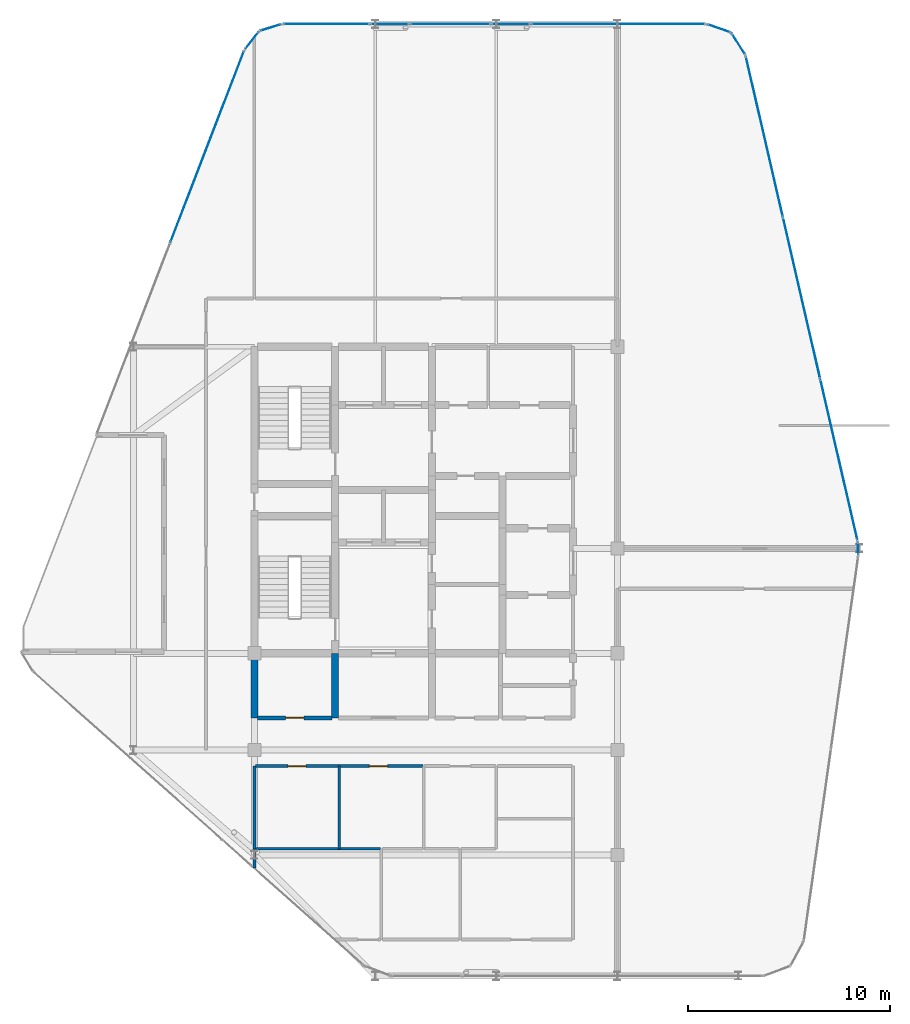
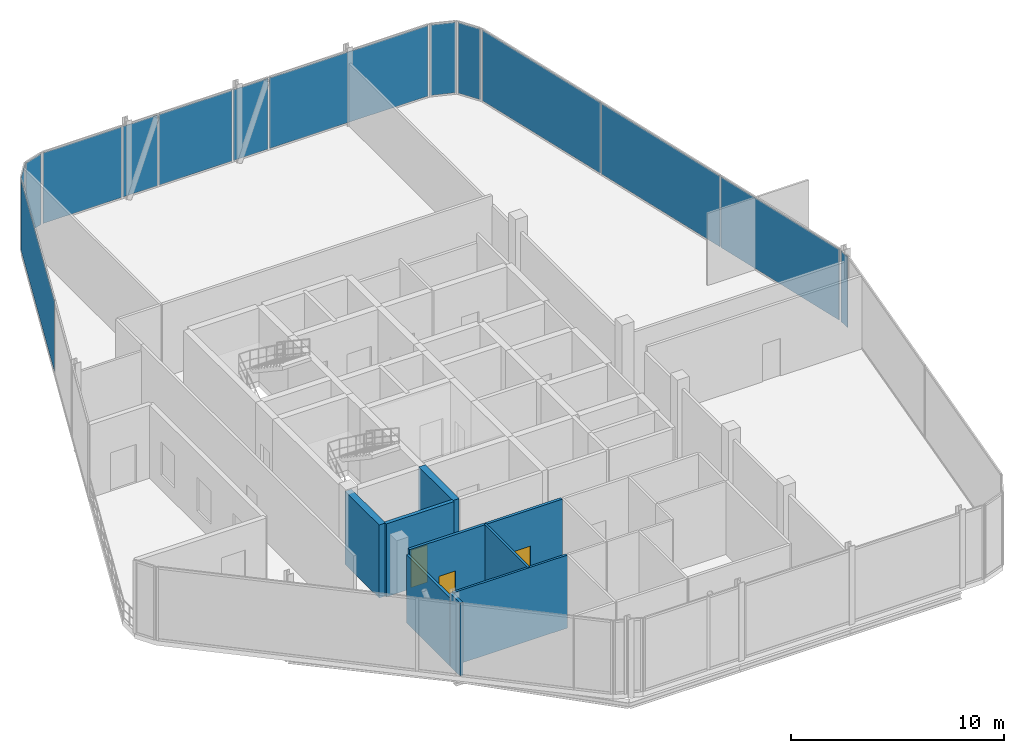
# One storey, part 20 of 24: 14 plates, 8 walls, 3 doors, 3 openings, 12 elements without a shape of their own.
"""IFC4 building model written with IfcOpenShell, lengths in metres."""

from ifc_helpers import new_model, si_unit, direction, frame, frame_2d, origin, origin_2d, place, context, subcontext, project, spatial, rectangle, extrude, material, layer, layer_set, type_object, element, fill, aggregate, save


model = new_model("IFC4")

# Units and contexts
model_context = context("Model", 3, precision=1e-05, world=origin(), true_north=direction((0.0, 1.0)))
body_context = subcontext(model_context, "Body", "Model", "MODEL_VIEW")
ifc_project = project(units=[si_unit("LENGTHUNIT", "METRE"), si_unit("AREAUNIT", "SQUARE_METRE"), si_unit("VOLUMEUNIT", "CUBIC_METRE"), si_unit("PLANEANGLEUNIT", "RADIAN"), si_unit("MASSUNIT", "GRAM", prefix="KILO")], contexts=[model_context])

# Site, building, storey
site_placement = place(None, origin())
site = spatial("IfcSite", under=ifc_project, at=site_placement, CompositionType="ELEMENT")
building_placement = place(site_placement, origin())
building = spatial("IfcBuilding", under=site, at=building_placement, Name="Keshet Zoharim Tower", CompositionType="ELEMENT")
storey_placement = place(building_placement, frame((0.0, 0.0, 299.10009765625)))
storey = spatial("IfcBuildingStorey", under=building, at=storey_placement, Name="L75", CompositionType="ELEMENT", Elevation=299.10009765625)

# Curtain wall, plate
ifc_material_1 = material(Name="Aluminium 6063-T6", Category="aluminium")
ifc_layer_1 = layer(ifc_material_1, 0.260009765625)
ifc_layer_set_1 = layer_set([ifc_layer_1], Name="Aluminium 6063-T6")
curtain_wall_type = type_object("IfcCurtainWallType", Name="CW-SYS-06", PredefinedType="NOTDEFINED", material=ifc_layer_set_1)
curtain_wall_1_placement = place(storey_placement, origin())
curtain_wall_1 = element("IfcCurtainWall", 1, at=curtain_wall_1_placement, inside=storey, type_object=curtain_wall_type, Name="L75 Unitised Curtain Wall 01", PredefinedType="NOTDEFINED")
ifc_material_2 = material(Name="Insulated Low-E Clear Glass", Category="glass")
ifc_layer_2 = layer(ifc_material_2, 0.028076171875)
ifc_layer_set_2 = layer_set([ifc_layer_2], Name="Insulated Low-E Clear Glass")
plate_type_1 = type_object("IfcPlateType", Name="CWP-03", PredefinedType="CURTAIN_PANEL", material=ifc_layer_set_2)
plate_1_placement = place(storey_placement, frame((12.664306640625, 47.8271484375, 0.06982421875), z_axis=(0.0, 0.0, 1.0), x_axis=(0.359005277968, 0.933335529374, 0.0)))
plate_1 = element("IfcPlate", 2, at=plate_1_placement, type_object=plate_type_1, Name="CW-06 panel 2.1", PredefinedType="CURTAIN_PANEL", context=body_context, shape_type="SweptSolid", body=[
    extrude(rectangle(XDim=10.1259765625, YDim=0.028076171875, at=origin_2d()), origin(), (0.0, 0.0, 1.0), 4.050048828125),
])
aggregate(curtain_wall_1, [plate_1])

curtain_wall_2_placement = place(storey_placement, origin())
curtain_wall_2 = element("IfcCurtainWall", 3, at=curtain_wall_2_placement, inside=storey, type_object=curtain_wall_type, Name="L75 Unitised Curtain Wall 02", PredefinedType="NOTDEFINED")
plate_2_placement = place(storey_placement, frame((14.8740234375, 53.08349609375, 0.06982421875), z_axis=(0.0, 0.0, 1.0), x_axis=(0.619124525989, 0.785292825205, 0.0)))
plate_2 = element("IfcPlate", 4, at=plate_2_placement, type_object=plate_type_1, Name="CW-06 panel 1.1", PredefinedType="CURTAIN_PANEL", context=body_context, shape_type="SweptSolid", body=[
    extrude(rectangle(XDim=1.045654296875, YDim=0.028076171875, at=origin_2d()), origin(), (0.0, 0.0, 1.0), 4.050048828125),
])
aggregate(curtain_wall_2, [plate_2])

curtain_wall_3_placement = place(storey_placement, origin())
curtain_wall_3 = element("IfcCurtainWall", 5, at=curtain_wall_3_placement, inside=storey, type_object=curtain_wall_type, Name="L75 Unitised Curtain Wall 03", PredefinedType="NOTDEFINED")
plate_3_placement = place(storey_placement, frame((15.8076171875, 53.724609375, 0.06982421875), z_axis=(0.0, 0.0, 1.0), x_axis=(0.955212151288, 0.295921857984, 0.0)))
plate_3 = element("IfcPlate", 6, at=plate_3_placement, type_object=plate_type_1, Name="CW-06 panel 1.1", PredefinedType="CURTAIN_PANEL", context=body_context, shape_type="SweptSolid", body=[
    extrude(rectangle(XDim=1.046142578125, YDim=0.028076171875, at=origin_2d()), origin(), (0.0, 0.0, 1.0), 4.050048828125),
])
aggregate(curtain_wall_3, [plate_3])

curtain_wall_4_placement = place(storey_placement, origin())
curtain_wall_4 = element("IfcCurtainWall", 7, at=curtain_wall_4_placement, inside=storey, type_object=curtain_wall_type, Name="L75 Unitised Curtain Wall 04", PredefinedType="NOTDEFINED")
plate_4_placement = place(storey_placement, frame((18.57275390625, 53.89990234375, 0.06982421875), z_axis=(0.0, 0.0, 1.0), x_axis=(1.0, 0.0, 0.0)))
plate_4 = element("IfcPlate", 8, at=plate_4_placement, type_object=plate_type_1, Name="CW-06 panel 1.1", PredefinedType="CURTAIN_PANEL", context=body_context, shape_type="SweptSolid", body=[
    extrude(rectangle(XDim=4.257568359375, YDim=0.028076171875, at=origin_2d()), origin(), (0.0, 0.0, 1.0), 4.050048828125),
])
aggregate(curtain_wall_4, [plate_4])

curtain_wall_5_placement = place(storey_placement, origin())
curtain_wall_5 = element("IfcCurtainWall", 9, at=curtain_wall_5_placement, inside=storey, type_object=curtain_wall_type, Name="L75 Unitised Curtain Wall 04 Part 3", PredefinedType="NOTDEFINED")
plate_5_placement = place(storey_placement, frame((24.715087890625, 53.89990234375, 0.06982421875), z_axis=(0.0, 0.0, 1.0), x_axis=(1.0, 0.0, 0.0)))
plate_5 = element("IfcPlate", 10, at=plate_5_placement, type_object=plate_type_1, Name="CW-06 panel 1.1", PredefinedType="CURTAIN_PANEL", context=body_context, shape_type="SweptSolid", body=[
    extrude(rectangle(XDim=3.972900390625, YDim=0.028076171875, at=origin_2d()), origin(), (0.0, 0.0, 1.0), 4.050048828125),
])
aggregate(curtain_wall_5, [plate_5])

curtain_wall_6_placement = place(storey_placement, origin())
curtain_wall_6 = element("IfcCurtainWall", 11, at=curtain_wall_6_placement, inside=storey, type_object=curtain_wall_type, Name="L75 Unitised Curtain Wall 04 Part 5", PredefinedType="NOTDEFINED")
plate_6_placement = place(storey_placement, frame((33.03369140625, 53.89990234375, 0.06982421875), z_axis=(0.0, 0.0, 1.0), x_axis=(1.0, 0.0, 0.0)))
plate_6 = element("IfcPlate", 12, at=plate_6_placement, type_object=plate_type_1, Name="CW-06 panel 1.1", PredefinedType="CURTAIN_PANEL", context=body_context, shape_type="SweptSolid", body=[
    extrude(rectangle(XDim=8.610595703125, YDim=0.028076171875, at=origin_2d()), origin(), (0.0, 0.0, 1.0), 4.050048828125),
])
aggregate(curtain_wall_6, [plate_6])

curtain_wall_7_placement = place(storey_placement, origin())
curtain_wall_7 = element("IfcCurtainWall", 13, at=curtain_wall_7_placement, inside=storey, type_object=curtain_wall_type, Name="L75 Unitised Curtain Wall 05", PredefinedType="NOTDEFINED")
plate_7_placement = place(storey_placement, frame((38.031494140625, 53.6826171875, 0.06982421875), z_axis=(0.0, 0.0, 1.0), x_axis=(0.944035542119, -0.329843743636, 0.0)))
plate_7 = element("IfcPlate", 14, at=plate_7_placement, type_object=plate_type_1, Name="CW-06 panel 1.1", PredefinedType="CURTAIN_PANEL", context=body_context, shape_type="SweptSolid", body=[
    extrude(rectangle(XDim=1.1787109375, YDim=0.028076171875, at=origin_2d()), origin(), (0.0, 0.0, 1.0), 4.050048828125),
])
aggregate(curtain_wall_7, [plate_7])

curtain_wall_8_placement = place(storey_placement, origin())
curtain_wall_8 = element("IfcCurtainWall", 15, at=curtain_wall_8_placement, inside=storey, type_object=curtain_wall_type, Name="L75 Unitised Curtain Wall 06", PredefinedType="NOTDEFINED")
plate_8_placement = place(storey_placement, frame((39.006103515625, 52.907470703125, 0.06982421875), z_axis=(0.0, 0.0, 1.0), x_axis=(0.533878858502, -0.845560976183, 0.0)))
plate_8 = element("IfcPlate", 16, at=plate_8_placement, type_object=plate_type_1, Name="CW-06 panel 1.1", PredefinedType="CURTAIN_PANEL", context=body_context, shape_type="SweptSolid", body=[
    extrude(rectangle(XDim=1.1787109375, YDim=0.028076171875, at=origin_2d()), origin(), (0.0, 0.0, 1.0), 4.050048828125),
])
aggregate(curtain_wall_8, [plate_8])

# Curtain wall, plates
curtain_wall_9_placement = place(storey_placement, origin())
curtain_wall_9 = element("IfcCurtainWall", 17, at=curtain_wall_9_placement, inside=storey, type_object=curtain_wall_type, Name="L75 Unitised Curtain Wall 07", PredefinedType="NOTDEFINED")
plate_9_placement = place(storey_placement, frame((40.288330078125, 48.318359375, 0.06982421875), z_axis=(0.0, 0.0, 1.0), x_axis=(0.224829963294, -0.974398012932, 0.0)))
plate_9 = element("IfcPlate", 18, at=plate_9_placement, type_object=plate_type_1, Name="CW-06 panel 1.1", PredefinedType="CURTAIN_PANEL", context=body_context, shape_type="SweptSolid", body=[
    extrude(rectangle(XDim=8.13525390625, YDim=0.028076171875, at=origin_2d()), origin(), (0.0, 0.0, 1.0), 4.050048828125),
])
plate_10_placement = place(storey_placement, frame((42.136962890625, 40.305908203125, 0.06982421875), z_axis=(0.0, 0.0, 1.0), x_axis=(0.224829963294, -0.974398012932, 0.0)))
plate_10 = element("IfcPlate", 19, at=plate_10_placement, type_object=plate_type_1, Name="CW-06 panel 2.1", PredefinedType="CURTAIN_PANEL", context=body_context, shape_type="SweptSolid", body=[
    extrude(rectangle(XDim=8.17041015625, YDim=0.028076171875, at=origin_2d()), origin(), (0.0, 0.0, 1.0), 4.050048828125),
])
plate_11_placement = place(storey_placement, frame((43.98583984375, 32.293701171875, 0.06982421875), z_axis=(0.0, 0.0, 1.0), x_axis=(0.224829963294, -0.974398012932, 0.0)))
plate_11 = element("IfcPlate", 20, at=plate_11_placement, type_object=plate_type_1, Name="CW-06 panel 3.1", PredefinedType="CURTAIN_PANEL", context=body_context, shape_type="SweptSolid", body=[
    extrude(rectangle(XDim=8.13525390625, YDim=0.028076171875, at=origin_2d()), origin(), (0.0, 0.0, 1.0), 4.050048828125),
])
aggregate(curtain_wall_9, [plate_9, plate_10, plate_11])

# Curtain wall, plate
curtain_wall_10_placement = place(storey_placement, origin())
curtain_wall_10 = element("IfcCurtainWall", 21, at=curtain_wall_10_placement, inside=storey, type_object=curtain_wall_type, Name="L75 Unitised Curtain Wall 08", PredefinedType="NOTDEFINED")
plate_12_placement = place(storey_placement, frame((44.931884765625, 27.89697265625, 0.06982421875), z_axis=(0.0, 0.0, 1.0), x_axis=(0.043793560626, -0.999040601801, 0.0)))
plate_12 = element("IfcPlate", 22, at=plate_12_placement, type_object=plate_type_1, Name="CW-06 panel 1.1", PredefinedType="CURTAIN_PANEL", context=body_context, shape_type="SweptSolid", body=[
    extrude(rectangle(XDim=0.5908203125, YDim=0.028076171875, at=origin_2d()), origin(), (0.0, 0.0, 1.0), 4.050048828125),
])
aggregate(curtain_wall_10, [plate_12])

curtain_wall_11_placement = place(storey_placement, origin())
curtain_wall_11 = element("IfcCurtainWall", 23, at=curtain_wall_11_placement, inside=storey, type_object=curtain_wall_type, Name="L75 Unitised Curtain Wall 04 Part 2", PredefinedType="NOTDEFINED")
ifc_material_3 = material(Name="Insulated Aluminium Spandrel Panel", Category="aluminium")
ifc_layer_3 = layer(ifc_material_3, 0.028076171875)
ifc_layer_set_3 = layer_set([ifc_layer_3], Name="Insulated Aluminium Spandrel Panel")
plate_type_2 = type_object("IfcPlateType", Name="CWP-06", PredefinedType="CURTAIN_PANEL", material=ifc_layer_set_3)
plate_13_placement = place(storey_placement, frame((21.715087890625, 53.89990234375, 0.06982421875), z_axis=(0.0, 0.0, 1.0), x_axis=(1.0, 0.0, 0.0)))
plate_13 = element("IfcPlate", 24, at=plate_13_placement, type_object=plate_type_2, Name="CW-06 spandrel panel 1.1", PredefinedType="CURTAIN_PANEL", context=body_context, shape_type="SweptSolid", body=[
    extrude(rectangle(XDim=1.886962890625, YDim=0.028076171875, at=origin_2d()), origin(), (0.0, 0.0, 1.0), 4.050048828125),
])
aggregate(curtain_wall_11, [plate_13])

curtain_wall_12_placement = place(storey_placement, origin())
curtain_wall_12 = element("IfcCurtainWall", 25, at=curtain_wall_12_placement, inside=storey, type_object=curtain_wall_type, Name="L75 Unitised Curtain Wall 04 Part 4", PredefinedType="NOTDEFINED")
plate_14_placement = place(storey_placement, frame((27.715087890625, 53.89990234375, 0.06982421875), z_axis=(0.0, 0.0, 1.0), x_axis=(1.0, 0.0, 0.0)))
plate_14 = element("IfcPlate", 26, at=plate_14_placement, type_object=plate_type_2, Name="CW-06 spandrel panel 1.1", PredefinedType="CURTAIN_PANEL", context=body_context, shape_type="SweptSolid", body=[
    extrude(rectangle(XDim=1.886962890625, YDim=0.028076171875, at=origin_2d()), origin(), (0.0, 0.0, 1.0), 4.050048828125),
])
aggregate(curtain_wall_12, [plate_14])

# Walls
ifc_material_4 = material(Name="Gypsum Plasterboard", Category="gypsum")
ifc_layer_4 = layer(ifc_material_4, 0.14990234375)
ifc_layer_set_4 = layer_set([ifc_layer_4], Name="Gypsum Plasterboard")
wall_type_1 = type_object("IfcWallType", Name="WL-CLIN-150", PredefinedType="STANDARD", material=ifc_layer_set_4)
wall_1_placement = place(storey_placement, frame((15.0, 12.04296875, 0.0), z_axis=(0.0, 0.0, 1.0), x_axis=(0.0, 1.0, 0.0)))
element("IfcWall", 27, at=wall_1_placement, inside=storey, type_object=wall_type_1, Name="L75 Interior Wall 003", PredefinedType="STANDARD", context=body_context, shape_type="SweptSolid", body=[
    extrude(rectangle(XDim=0.95703125, YDim=0.14990234375, at=frame_2d((0.478515625, 0.0))), origin(), (0.0, 0.0, 1.0), 4.18994140625),
])
wall_2_placement = place(storey_placement, frame((15.0, 13.0, 0.0), z_axis=(0.0, 0.0, 1.0), x_axis=(0.0, 1.0, 0.0)))
element("IfcWall", 28, at=wall_2_placement, inside=storey, type_object=wall_type_1, Name="L75 Interior Wall 004", PredefinedType="STANDARD", context=body_context, shape_type="SweptSolid", body=[
    extrude(rectangle(XDim=4.10009765625, YDim=0.14990234375, at=frame_2d((2.050048828125, 0.0))), origin(), (0.0, 0.0, 1.0), 3.89990234375),
])

# Wall, openings, doors
wall_3_placement = place(storey_placement, frame((15.06005859375, 17.10009765625, 0.0), z_axis=(0.0, 0.0, 1.0), x_axis=(1.0, 0.0, 0.0)))
wall_3 = element("IfcWall", 29, at=wall_3_placement, inside=storey, type_object=wall_type_1, Name="L75 Interior Wall 057", PredefinedType="STANDARD", context=body_context, shape_type="SweptSolid", body=[
    extrude(rectangle(XDim=8.294921875, YDim=0.14990234375, at=frame_2d((4.1474609375, 0.0))), origin(), (0.0, 0.0, 1.0), 4.18994140625),
])
opening_1_placement = place(wall_3_placement, frame((1.594970703125, 0.0, 0.0)))
opening_1 = element("IfcOpeningElement", 30, at=opening_1_placement, cuts=wall_3, Name="Opening D-WT90", PredefinedType="OPENING", context=body_context, shape_type="SweptSolid", body=[
    extrude(rectangle(XDim=0.89990234375, YDim=2.10009765625, at=frame_2d((0.449951171875, 1.050048828125))), frame((0.0, 0.0849609375, 0.0), z_axis=(0.0, -1.0, 0.0), x_axis=(1.0, 0.0, 0.0)), (0.0, 0.0, 1.0), 0.169921875),
])
opening_2_placement = place(wall_3_placement, frame((5.64501953125, 0.0, 0.0)))
opening_2 = element("IfcOpeningElement", 31, at=opening_2_placement, cuts=wall_3, Name="Opening D-WT90", PredefinedType="OPENING", context=body_context, shape_type="SweptSolid", body=[
    extrude(rectangle(XDim=0.89990234375, YDim=2.10009765625, at=frame_2d((0.449951171875, 1.050048828125))), frame((0.0, 0.0849609375, 0.0), z_axis=(0.0, -1.0, 0.0), x_axis=(1.0, 0.0, 0.0)), (0.0, 0.0, 1.0), 0.169921875),
])
ifc_material_5 = material(Name="Hardwood Timber", Category="wood")
door_type_1 = type_object("IfcDoorType", Name="DR-WET-090", OperationType="NOTDEFINED", PredefinedType="DOOR", material=ifc_material_5)
door_1_placement = place(opening_1_placement, origin())
door_1 = element("IfcDoor", 32, at=door_1_placement, inside=storey, type_object=door_type_1, Name="L75 Public WCM Door", OperationType="SINGLE_SWING_LEFT", OverallHeight=2.10009765625, OverallWidth=0.89990234375, PredefinedType="DOOR", context=body_context, shape_type="SweptSolid", body=[
    extrude(rectangle(XDim=0.89990234375, YDim=2.10009765625, at=frame_2d((0.449951171875, 1.050048828125))), frame((0.0, 0.02490234375, 0.0), z_axis=(0.0, -1.0, 0.0), x_axis=(1.0, 0.0, 0.0)), (0.0, 0.0, 1.0), 0.050048828125),
])
fill(opening_1, door_1)
door_2_placement = place(opening_2_placement, origin())
door_2 = element("IfcDoor", 33, at=door_2_placement, inside=storey, type_object=door_type_1, Name="L75 Public WCF Door", OperationType="SINGLE_SWING_RIGHT", OverallHeight=2.10009765625, OverallWidth=0.89990234375, PredefinedType="DOOR", context=body_context, shape_type="SweptSolid", body=[
    extrude(rectangle(XDim=0.89990234375, YDim=2.10009765625, at=frame_2d((0.449951171875, 1.050048828125))), frame((0.0, 0.02490234375, 0.0), z_axis=(0.0, -1.0, 0.0), x_axis=(1.0, 0.0, 0.0)), (0.0, 0.0, 1.0), 0.050048828125),
])
fill(opening_2, door_2)

# Walls
ifc_material_6 = material(Name="Concrete C60/75", Category="concrete")
ifc_layer_5 = layer(ifc_material_6, 0.35009765625)
ifc_layer_set_5 = layer_set([ifc_layer_5], Name="Concrete C60/75")
wall_type_2 = type_object("IfcWallType", Name="WL-CORE-350", PredefinedType="SHEAR", material=ifc_layer_set_5)
for number, where, z_axis, x_axis, name in (
    (34, (15.0, 19.5, 0.0), (0.0, 0.0, 1.0), (0.0, 1.0, 0.0), "L75 Core Shear Wall 005"),
    (35, (19.0, 19.5, 0.0), (0.0, 0.0, 1.0), (0.0, 1.0, 0.0), "L75 Core Shear Wall 010"),
):
    element("IfcWall", number, at=place(storey_placement, frame(where, z_axis=z_axis, x_axis=x_axis)), inside=storey, type_object=wall_type_2, Name=name, PredefinedType="SHEAR", context=body_context, shape_type="SweptSolid", body=[
        extrude(rectangle(XDim=3.199951171875, YDim=0.35009765625, at=frame_2d((1.60009765625, 0.0))), origin(), (0.0, 0.0, 1.0), 4.18994140625),
    ])

# Wall, opening, door
ifc_material_7 = material(Name="Concrete C50/60", Category="concrete")
ifc_layer_6 = layer(ifc_material_7, 0.199951171875)
ifc_layer_set_6 = layer_set([ifc_layer_6], Name="Concrete C50/60")
wall_type_3 = type_object("IfcWallType", Name="WL-FIRE-200", PredefinedType="STANDARD", material=ifc_layer_set_6)
wall_4_placement = place(storey_placement, frame((15.159912109375, 19.5, 0.0), z_axis=(0.0, 0.0, 1.0), x_axis=(1.0, 0.0, 0.0)))
wall_4 = element("IfcWall", 36, at=wall_4_placement, inside=storey, type_object=wall_type_3, Name="L75 Interior Wall 060", PredefinedType="STANDARD", context=body_context, shape_type="SweptSolid", body=[
    extrude(rectangle(XDim=3.68017578125, YDim=0.199951171875, at=frame_2d((1.840087890625, 0.0))), origin(), (0.0, 0.0, 1.0), 4.18994140625),
])
opening_3_placement = place(wall_4_placement, frame((1.389892578125, 0.0, 0.0)))
opening_3 = element("IfcOpeningElement", 37, at=opening_3_placement, cuts=wall_4, Name="Opening D-F690", PredefinedType="OPENING", context=body_context, shape_type="SweptSolid", body=[
    extrude(rectangle(XDim=0.89990234375, YDim=2.14990234375, at=frame_2d((0.449951171875, 1.074951171875))), frame((0.0, 0.10986328125, 0.0), z_axis=(0.0, -1.0, 0.0), x_axis=(1.0, 0.0, 0.0)), (0.0, 0.0, 1.0), 0.219970703125),
])
door_type_2 = type_object("IfcDoorType", Name="DR-FD60-090", OperationType="NOTDEFINED", PredefinedType="DOOR", material=ifc_material_5)
door_3_placement = place(opening_3_placement, origin())
door_3 = element("IfcDoor", 38, at=door_3_placement, inside=storey, type_object=door_type_2, Name="L75 Refuse Store Door", OperationType="SINGLE_SWING_RIGHT", OverallHeight=2.14990234375, OverallWidth=0.89990234375, PredefinedType="DOOR", context=body_context, shape_type="SweptSolid", body=[
    extrude(rectangle(XDim=0.89990234375, YDim=2.14990234375, at=frame_2d((0.449951171875, 1.074951171875))), frame((0.0, 0.02490234375, 0.0), z_axis=(0.0, -1.0, 0.0), x_axis=(1.0, 0.0, 0.0)), (0.0, 0.0, 1.0), 0.050048828125),
])
fill(opening_3, door_3)

# Walls
ifc_layer_7 = layer(ifc_material_4, 0.1201171875)
ifc_layer_set_7 = layer_set([ifc_layer_7], Name="Gypsum Plasterboard")
wall_type_4 = type_object("IfcWallType", Name="WL-WET-120", PredefinedType="PARTITIONING", material=ifc_layer_set_7)
wall_5_placement = place(storey_placement, frame((19.199951171875, 13.0, 0.0), z_axis=(0.0, 0.0, 1.0), x_axis=(0.0, 1.0, 0.0)))
element("IfcWall", 39, at=wall_5_placement, inside=storey, type_object=wall_type_4, Name="L75 Interior Wall 015", PredefinedType="PARTITIONING", context=body_context, shape_type="SweptSolid", body=[
    extrude(rectangle(XDim=4.10009765625, YDim=0.1201171875, at=frame_2d((2.050048828125, 0.0))), origin(), (0.0, 0.0, 1.0), 4.18994140625),
])
wall_6_placement = place(storey_placement, frame((15.06005859375, 13.0, 0.0), z_axis=(0.0, 0.0, 1.0), x_axis=(1.0, 0.0, 0.0)))
element("IfcWall", 40, at=wall_6_placement, inside=storey, type_object=wall_type_4, Name="L75 Interior Wall 052", PredefinedType="PARTITIONING", context=body_context, shape_type="SweptSolid", body=[
    extrude(rectangle(XDim=6.19482421875, YDim=0.1201171875, at=frame_2d((3.097412109375, 0.0))), origin(), (0.0, 0.0, 1.0), 4.18994140625),
])

save(model, "model.ifc")
